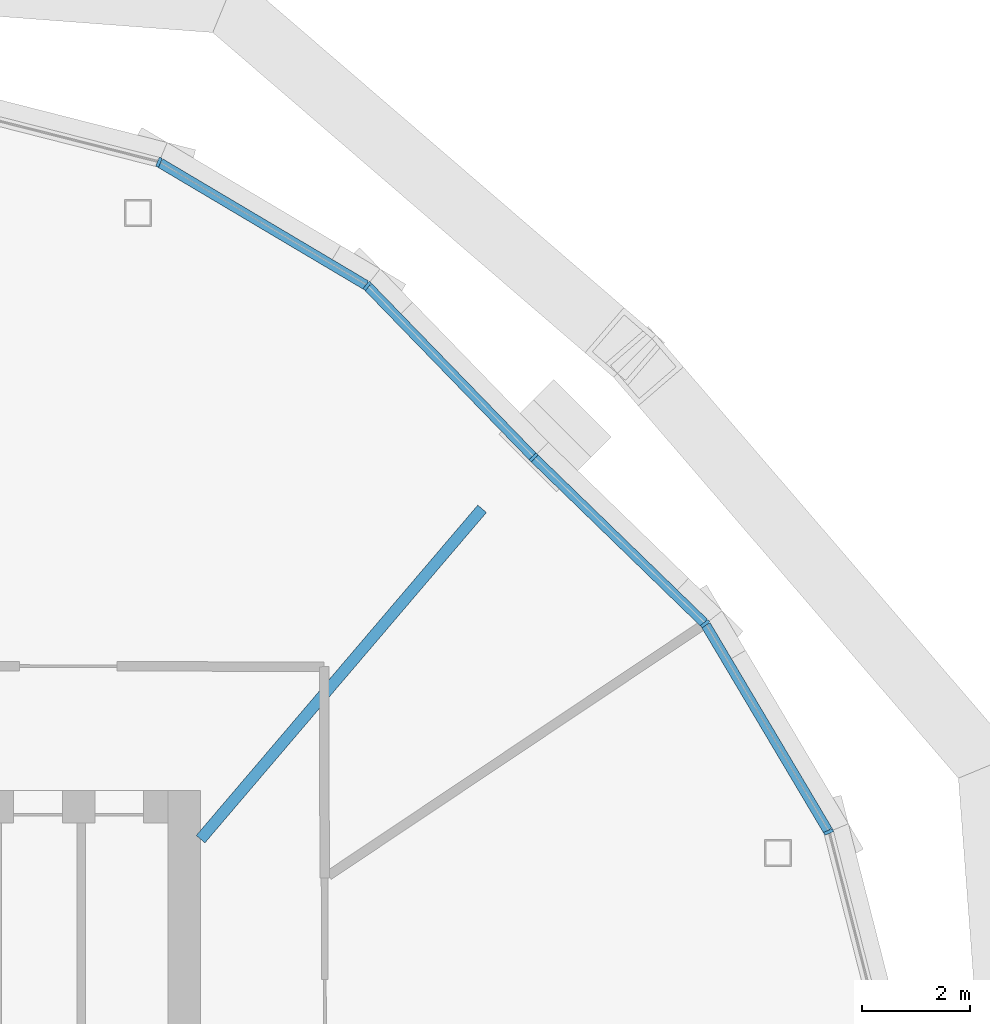
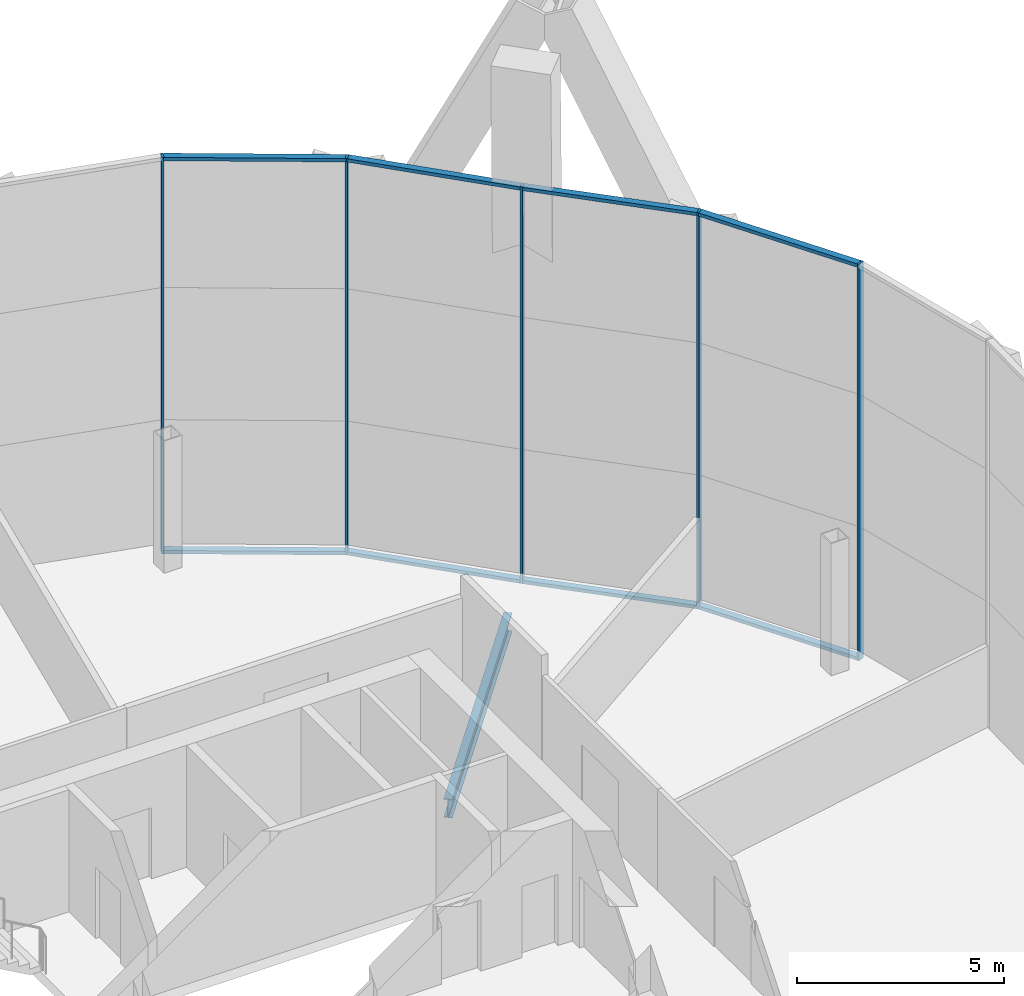
# One storey, part 7 of 23: 13 members, 1 beam, 2 elements without a shape of their own.
"""IFC4 building model written with IfcOpenShell, lengths in metres."""

from ifc_helpers import new_model, si_unit, direction, frame, origin, origin_2d, place, context, subcontext, project, spatial, rectangle, i_section, extrude, material, material_profile, profile_set, type_object, element, aggregate, save


model = new_model("IFC4")

# Units and contexts
model_context = context("Model", 3, precision=1e-05, world=origin(), true_north=direction((0.0, 1.0)))
body_context = subcontext(model_context, "Body", "Model", "MODEL_VIEW")
ifc_project = project(units=[si_unit("LENGTHUNIT", "METRE"), si_unit("AREAUNIT", "SQUARE_METRE"), si_unit("VOLUMEUNIT", "CUBIC_METRE"), si_unit("PLANEANGLEUNIT", "RADIAN"), si_unit("MASSUNIT", "GRAM", prefix="KILO")], contexts=[model_context])

# Site, building, storey
site_placement = place(None, origin())
site = spatial("IfcSite", under=ifc_project, at=site_placement, CompositionType="ELEMENT")
building_placement = place(site_placement, origin())
building = spatial("IfcBuilding", under=site, at=building_placement, Name="Ogive Gate Towers", CompositionType="ELEMENT")
storey_placement = place(building_placement, frame((0.0, 0.0, 165.60009765625)))
storey = spatial("IfcBuildingStorey", under=building, at=storey_placement, Name="L39", CompositionType="ELEMENT", Elevation=165.60009765625)

# Beam
ifc_material_1 = material(Name="Steel SM355", Category="steel")
ifc_material_profile_1 = material_profile(ifc_material_1, i_section(OverallWidth=0.2099609375, OverallDepth=0.550048828125, WebThickness=0.010986328125, FlangeThickness=0.01708984375, FilletRadius=0.02392578125, at=origin_2d()), Name="IPE 550")
ifc_profile_set_1 = profile_set([ifc_material_profile_1], Name="Steel SM355")
beam_type = type_object("IfcBeamType", Name="Radial floor beam IPE 550", PredefinedType="BEAM", material=ifc_profile_set_1)
beam_placement = place(storey_placement, frame((-26.5, 8.60009765625, -0.5751953125), z_axis=(0.648658885878, 0.761079266418, 0.0), x_axis=(-0.761079266418, 0.648658885878, 0.0)))
element("IfcBeam", 1, at=beam_placement, inside=storey, type_object=beam_type, Name="T1/L39/SBM005", PredefinedType="BEAM", context=body_context, shape_type="SweptSolid", body=[
    extrude(i_section(OverallWidth=0.2099609375, OverallDepth=0.550048828125, WebThickness=0.010986328125, FlangeThickness=0.01708984375, FilletRadius=0.02392578125, at=origin_2d()), origin(), (0.0, 0.0, 1.0), 8.0048828125),
])

# Curtain wall, members
ifc_material_2 = material(Name="Pale metal aluminium", Category="aluminium")
curtain_wall_type = type_object("IfcCurtainWallType", Name="Tower unitised wall, high zone", PredefinedType="NOTDEFINED", material=ifc_material_2)
curtain_wall_1_placement = place(storey_placement, origin())
curtain_wall_1 = element("IfcCurtainWall", 2, at=curtain_wall_1_placement, inside=storey, type_object=curtain_wall_type, Name="CW2 T1 ECW01", PredefinedType="NOTDEFINED")
ifc_material_profile_2 = material_profile(ifc_material_2, rectangle(XDim=0.179931640625, YDim=0.06005859375, at=origin_2d()), Name="60 x 180 aluminium box")
ifc_profile_set_2 = profile_set([ifc_material_profile_2], Name="Pale metal aluminium")
member_type_1 = type_object("IfcMemberType", Name="Tower unitised wall, high zone mullion 60 x 180", PredefinedType="MULLION", material=ifc_profile_set_2)
member_1_placement = place(storey_placement, frame((-14.916015625, 8.7333984375, -0.300048828125), z_axis=(0.0, 0.0, 1.0), x_axis=(0.923879532511, 0.382683432365, 0.0)))
member_1 = element("IfcMember", 3, at=member_1_placement, type_object=member_type_1, Name="CW2 mullion", PredefinedType="MULLION", context=body_context, shape_type="SweptSolid", body=[
    extrude(rectangle(XDim=0.179931640625, YDim=0.06005859375, at=origin_2d()), origin(), (0.0, 0.0, 1.0), 11.699951171875),
])
member_2_placement = place(storey_placement, frame((-17.195556640625, 12.5732421875, -0.300048828125), z_axis=(0.0, 0.0, 1.0), x_axis=(0.784949414887, 0.619559856727, 0.0)))
member_2 = element("IfcMember", 4, at=member_2_placement, type_object=member_type_1, Name="CW2 mullion", PredefinedType="MULLION", context=body_context, shape_type="SweptSolid", body=[
    extrude(rectangle(XDim=0.179931640625, YDim=0.06005859375, at=origin_2d()), origin(), (0.0, 0.0, 1.0), 11.699951171875),
])
member_3_placement = place(storey_placement, frame((-20.358642578125, 15.64111328125, -0.300048828125), z_axis=(0.0, 0.0, 1.0), x_axis=(0.696238600306, 0.717810428625, 0.0)))
member_3 = element("IfcMember", 5, at=member_3_placement, type_object=member_type_1, Name="CW2 mullion", PredefinedType="MULLION", context=body_context, shape_type="SweptSolid", body=[
    extrude(rectangle(XDim=0.179931640625, YDim=0.06005859375, at=origin_2d()), origin(), (0.0, 0.0, 1.0), 11.699951171875),
])

curtain_wall_2_placement = place(storey_placement, origin())
curtain_wall_2 = element("IfcCurtainWall", 6, at=curtain_wall_2_placement, inside=storey, type_object=curtain_wall_type, Name="CW2 T1 ECW02", PredefinedType="NOTDEFINED")
member_4_placement = place(storey_placement, frame((-23.4267578125, 18.804443359375, -0.300048828125), z_axis=(0.0, 0.0, 1.0), x_axis=(0.619559856727, 0.784949414887, 0.0)))
member_4 = element("IfcMember", 7, at=member_4_placement, type_object=member_type_1, Name="CW2 mullion", PredefinedType="MULLION", context=body_context, shape_type="SweptSolid", body=[
    extrude(rectangle(XDim=0.179931640625, YDim=0.06005859375, at=origin_2d()), origin(), (0.0, 0.0, 1.0), 11.699951171875),
])
member_5_placement = place(storey_placement, frame((-27.2666015625, 21.083984375, -0.300048828125), z_axis=(0.0, 0.0, 1.0), x_axis=(0.382683432365, 0.923879532511, 0.0)))
member_5 = element("IfcMember", 8, at=member_5_placement, type_object=member_type_1, Name="CW2 mullion", PredefinedType="MULLION", context=body_context, shape_type="SweptSolid", body=[
    extrude(rectangle(XDim=0.179931640625, YDim=0.06005859375, at=origin_2d()), origin(), (0.0, 0.0, 1.0), 11.699951171875),
])

# Member
ifc_material_profile_3 = material_profile(ifc_material_2, rectangle(XDim=0.179931640625, YDim=0.10009765625, at=origin_2d()), Name="100 x 180 aluminium box")
ifc_profile_set_3 = profile_set([ifc_material_profile_3], Name="Pale metal aluminium")
member_type_2 = type_object("IfcMemberType", Name="Tower unitised wall, high zone transom 100 x 180", PredefinedType="USERDEFINED", material=ifc_profile_set_3)
member_6_placement = place(storey_placement, frame((-14.930908203125, 8.7578125, 11.349853515625), z_axis=(-0.5104504611, 0.859907161712, 0.0), x_axis=(-0.859907161712, -0.5104504611, 0.0)))
member_6 = element("IfcMember", 9, at=member_6_placement, type_object=member_type_2, Name="CW2 transom", ObjectType="TRANSOM", PredefinedType="USERDEFINED", context=body_context, shape_type="SweptSolid", body=[
    extrude(rectangle(XDim=0.179931640625, YDim=0.10009765625, at=origin_2d()), origin(), (0.0, 0.0, 1.0), 4.408447265625),
])

member_7_placement = place(storey_placement, frame((-14.930908203125, 8.7578125, -0.25), z_axis=(-0.5104504611, 0.859907161712, 0.0), x_axis=(-0.859907161712, -0.5104504611, 0.0)))
member_7 = element("IfcMember", 10, at=member_7_placement, type_object=member_type_2, Name="CW2 transom", ObjectType="TRANSOM", PredefinedType="USERDEFINED", context=body_context, shape_type="SweptSolid", body=[
    extrude(rectangle(XDim=0.179931640625, YDim=0.10009765625, at=origin_2d()), origin(), (0.0, 0.0, 1.0), 4.408447265625),
])

member_8_placement = place(storey_placement, frame((-17.21630859375, 12.59326171875, 11.349853515625), z_axis=(-0.717834056166, 0.696214239877, 0.0), x_axis=(-0.696214239877, -0.717834056166, 0.0)))
member_8 = element("IfcMember", 11, at=member_8_placement, type_object=member_type_2, Name="CW2 transom", ObjectType="TRANSOM", PredefinedType="USERDEFINED", context=body_context, shape_type="SweptSolid", body=[
    extrude(rectangle(XDim=0.179931640625, YDim=0.10009765625, at=origin_2d()), origin(), (0.0, 0.0, 1.0), 4.34765625),
])

member_9_placement = place(storey_placement, frame((-17.21630859375, 12.59326171875, -0.25), z_axis=(-0.717834056166, 0.696214239877, 0.0), x_axis=(-0.696214239877, -0.717834056166, 0.0)))
member_9 = element("IfcMember", 12, at=member_9_placement, type_object=member_type_2, Name="CW2 transom", ObjectType="TRANSOM", PredefinedType="USERDEFINED", context=body_context, shape_type="SweptSolid", body=[
    extrude(rectangle(XDim=0.179931640625, YDim=0.10009765625, at=origin_2d()), origin(), (0.0, 0.0, 1.0), 4.34765625),
])

aggregate(curtain_wall_1, [member_1, member_2, member_6, member_7, member_3, member_8, member_9])

member_10_placement = place(storey_placement, frame((-20.3798828125, 15.662841796875, 11.349853515625), z_axis=(-0.696214239877, 0.717834056166, 0.0), x_axis=(-0.717834056166, -0.696214239877, 0.0)))
member_10 = element("IfcMember", 13, at=member_10_placement, type_object=member_type_2, Name="CW2 transom", ObjectType="TRANSOM", PredefinedType="USERDEFINED", context=body_context, shape_type="SweptSolid", body=[
    extrude(rectangle(XDim=0.179931640625, YDim=0.10009765625, at=origin_2d()), origin(), (0.0, 0.0, 1.0), 4.34765625),
])

member_11_placement = place(storey_placement, frame((-20.3798828125, 15.662841796875, -0.25), z_axis=(-0.696214239877, 0.717834056166, 0.0), x_axis=(-0.717834056166, -0.696214239877, 0.0)))
member_11 = element("IfcMember", 14, at=member_11_placement, type_object=member_type_2, Name="CW2 transom", ObjectType="TRANSOM", PredefinedType="USERDEFINED", context=body_context, shape_type="SweptSolid", body=[
    extrude(rectangle(XDim=0.179931640625, YDim=0.10009765625, at=origin_2d()), origin(), (0.0, 0.0, 1.0), 4.34765625),
])

member_12_placement = place(storey_placement, frame((-23.451416015625, 18.81884765625, 11.349853515625), z_axis=(-0.859907161712, 0.5104504611, 0.0), x_axis=(-0.5104504611, -0.859907161712, 0.0)))
member_12 = element("IfcMember", 15, at=member_12_placement, type_object=member_type_2, Name="CW2 transom", ObjectType="TRANSOM", PredefinedType="USERDEFINED", context=body_context, shape_type="SweptSolid", body=[
    extrude(rectangle(XDim=0.179931640625, YDim=0.10009765625, at=origin_2d()), origin(), (0.0, 0.0, 1.0), 4.408447265625),
])

member_13_placement = place(storey_placement, frame((-23.451416015625, 18.81884765625, -0.25), z_axis=(-0.859907161712, 0.5104504611, 0.0), x_axis=(-0.5104504611, -0.859907161712, 0.0)))
member_13 = element("IfcMember", 16, at=member_13_placement, type_object=member_type_2, Name="CW2 transom", ObjectType="TRANSOM", PredefinedType="USERDEFINED", context=body_context, shape_type="SweptSolid", body=[
    extrude(rectangle(XDim=0.179931640625, YDim=0.10009765625, at=origin_2d()), origin(), (0.0, 0.0, 1.0), 4.408447265625),
])

aggregate(curtain_wall_2, [member_4, member_10, member_11, member_5, member_12, member_13])

save(model, "model.ifc")
